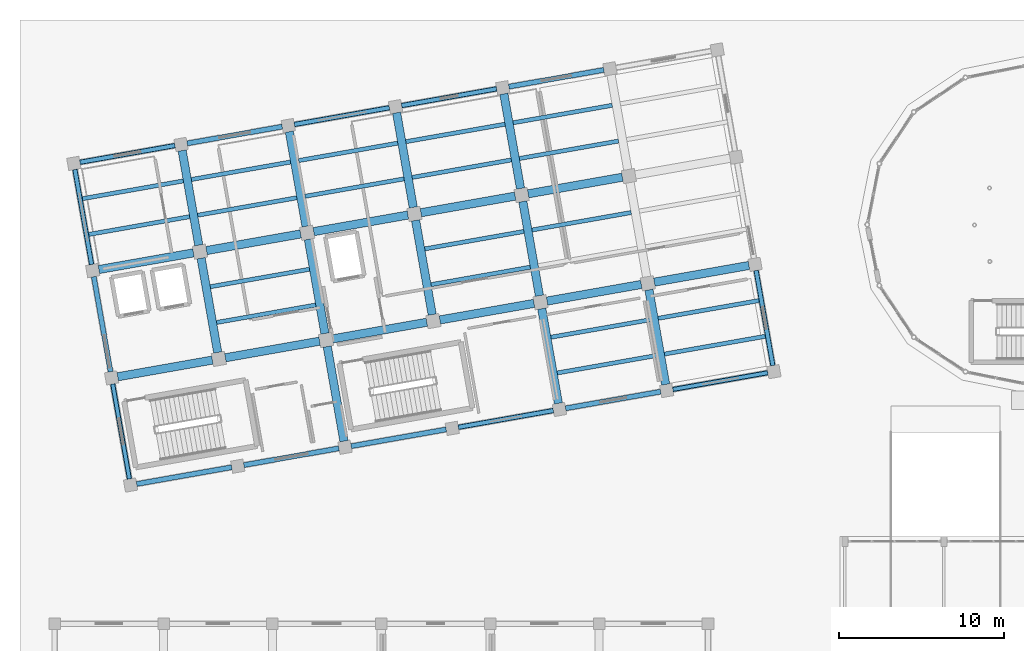
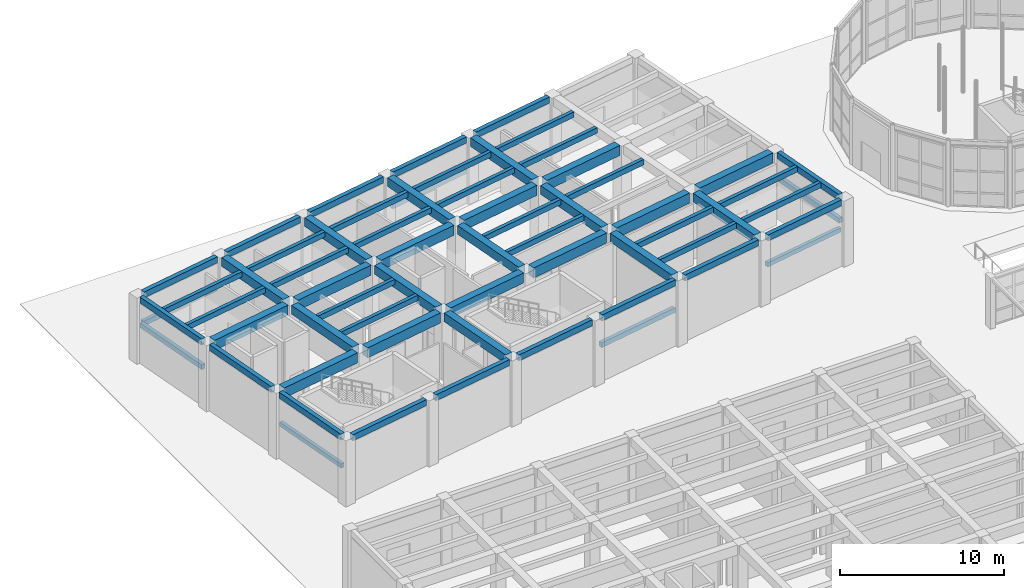
# One storey, part 13 of 57: 64 beams.
"""IFC4 building model written with IfcOpenShell, lengths in metres."""

from ifc_helpers import new_model, si_unit, direction, frame, origin, origin_2d, place, context, subcontext, project, spatial, rectangle, extrude, material, material_profile, profile_set, type_object, element, save


model = new_model("IFC4")

# Units and contexts
model_context = context("Model", 3, precision=1e-05, world=origin(), true_north=direction((0.0, 1.0)))
body_context = subcontext(model_context, "Body", "Model", "MODEL_VIEW")
ifc_project = project(units=[si_unit("LENGTHUNIT", "METRE"), si_unit("AREAUNIT", "SQUARE_METRE"), si_unit("VOLUMEUNIT", "CUBIC_METRE"), si_unit("PLANEANGLEUNIT", "RADIAN"), si_unit("MASSUNIT", "GRAM", prefix="KILO")], contexts=[model_context])

# Site, building, storey
site_placement = place(None, origin())
site = spatial("IfcSite", under=ifc_project, at=site_placement, CompositionType="ELEMENT")
building_placement = place(site_placement, origin())
building = spatial("IfcBuilding", under=site, at=building_placement, Name="Kharisveld Research Institute", CompositionType="ELEMENT")
storey_placement = place(building_placement, origin())
storey = spatial("IfcBuildingStorey", under=building, at=storey_placement, Name="L00", CompositionType="ELEMENT", Elevation=0.0)

# Beams
ifc_material_1 = material(Name="Concrete C40/50", Category="concrete")
ifc_material_profile_1 = material_profile(ifc_material_1, rectangle(XDim=0.5, YDim=0.64990234375, at=origin_2d()))
ifc_profile_set_1 = profile_set([ifc_material_profile_1], Name="Concrete C40/50")
beam_type_1 = type_object("IfcBeamType", Name="BM_RC_500x650", PredefinedType="BEAM", material=ifc_profile_set_1)
beam_1_placement = place(storey_placement, frame((10.484130859375, 43.0498046875, 4.594970703125), z_axis=(-0.17363405094, 0.984810243831, 0.0), x_axis=(-0.984810243831, -0.17363405094, 0.0)))
element("IfcBeam", 1, at=beam_1_placement, inside=storey, type_object=beam_type_1, Name="BM:V1:L00:V1_1", PredefinedType="BEAM", context=body_context, shape_type="SweptSolid", body=[
    extrude(rectangle(XDim=0.5, YDim=0.64990234375, at=origin_2d()), origin(), (0.0, 0.0, 1.0), 5.800048828125),
])
beam_2_placement = place(storey_placement, frame((9.338134765625, 49.549560546875, 4.594970703125), z_axis=(-0.173649041937, 0.984807600618, 0.0), x_axis=(-0.984807600618, -0.173649041937, 0.0)))
element("IfcBeam", 2, at=beam_2_placement, inside=storey, type_object=beam_type_1, Name="BM:V1:L00:V1_2", PredefinedType="BEAM", context=body_context, shape_type="SweptSolid", body=[
    extrude(rectangle(XDim=0.5, YDim=0.64990234375, at=origin_2d()), origin(), (0.0, 0.0, 1.0), 5.82470703125),
])
beam_3_placement = place(storey_placement, frame((18.13427734375, 37.67138671875, 4.594970703125), z_axis=(-0.173641874505, 0.984808864409, 0.0), x_axis=(-0.984808864409, -0.173641874505, 0.0)))
element("IfcBeam", 3, at=beam_3_placement, inside=storey, type_object=beam_type_1, Name="BM:V1:L00:V2_0", PredefinedType="BEAM", context=body_context, shape_type="SweptSolid", body=[
    extrude(rectangle(XDim=0.5, YDim=0.64990234375, at=origin_2d()), origin(), (0.0, 0.0, 1.0), 5.824951171875),
])
beam_4_placement = place(storey_placement, frame((16.98388671875, 44.19580078125, 4.594970703125), z_axis=(-0.17363405094, 0.984810243831, 0.0), x_axis=(-0.984810243831, -0.17363405094, 0.0)))
element("IfcBeam", 4, at=beam_4_placement, inside=storey, type_object=beam_type_1, Name="BM:V1:L00:V2_1", PredefinedType="BEAM", context=body_context, shape_type="SweptSolid", body=[
    extrude(rectangle(XDim=0.5, YDim=0.64990234375, at=origin_2d()), origin(), (0.0, 0.0, 1.0), 5.800048828125),
])
beam_5_placement = place(storey_placement, frame((15.837890625, 50.695556640625, 4.594970703125), z_axis=(-0.173641874505, 0.984808864409, 0.0), x_axis=(-0.984808864409, -0.173641874505, 0.0)))
element("IfcBeam", 5, at=beam_5_placement, inside=storey, type_object=beam_type_1, Name="BM:V1:L00:V2_2", PredefinedType="BEAM", context=body_context, shape_type="SweptSolid", body=[
    extrude(rectangle(XDim=0.5, YDim=0.64990234375, at=origin_2d()), origin(), (0.0, 0.0, 1.0), 5.824951171875),
])
beam_6_placement = place(storey_placement, frame((23.483642578125, 45.341796875, 4.594970703125), z_axis=(-0.17363405094, 0.984810243831, 0.0), x_axis=(-0.984810243831, -0.17363405094, 0.0)))
element("IfcBeam", 6, at=beam_6_placement, inside=storey, type_object=beam_type_1, Name="BM:V1:L00:V3_1", PredefinedType="BEAM", context=body_context, shape_type="SweptSolid", body=[
    extrude(rectangle(XDim=0.5, YDim=0.64990234375, at=origin_2d()), origin(), (0.0, 0.0, 1.0), 5.800048828125),
])
for number, where, z_axis, x_axis, name in (
    (7, (22.337646484375, 51.841552734375, 4.594970703125), (-0.173641874505, 0.984808864409, 0.0), (-0.984808864409, -0.173641874505, 0.0), "BM:V1:L00:V3_2"),
    (8, (31.1337890625, 39.963623046875, 4.594970703125), (-0.173641874505, 0.984808864409, 0.0), (-0.984808864409, -0.173641874505, 0.0), "BM:V1:L00:V4_0"),
):
    element("IfcBeam", number, at=place(storey_placement, frame(where, z_axis=z_axis, x_axis=x_axis)), inside=storey, type_object=beam_type_1, Name=name, PredefinedType="BEAM", context=body_context, shape_type="SweptSolid", body=[
        extrude(rectangle(XDim=0.5, YDim=0.64990234375, at=origin_2d()), origin(), (0.0, 0.0, 1.0), 5.824951171875),
    ])
beam_7_placement = place(storey_placement, frame((29.9833984375, 46.488037109375, 4.594970703125), z_axis=(-0.17363405094, 0.984810243831, 0.0), x_axis=(-0.984810243831, -0.17363405094, 0.0)))
element("IfcBeam", 9, at=beam_7_placement, inside=storey, type_object=beam_type_1, Name="BM:V1:L00:V4_1", PredefinedType="BEAM", context=body_context, shape_type="SweptSolid", body=[
    extrude(rectangle(XDim=0.5, YDim=0.64990234375, at=origin_2d()), origin(), (0.0, 0.0, 1.0), 5.800048828125),
])
beam_8_placement = place(storey_placement, frame((28.83740234375, 52.98779296875, 4.594970703125), z_axis=(-0.173649041937, 0.984807600618, 0.0), x_axis=(-0.984807600618, -0.173649041937, 0.0)))
element("IfcBeam", 10, at=beam_8_placement, inside=storey, type_object=beam_type_1, Name="BM:V1:L00:V4_2", PredefinedType="BEAM", context=body_context, shape_type="SweptSolid", body=[
    extrude(rectangle(XDim=0.5, YDim=0.64990234375, at=origin_2d()), origin(), (0.0, 0.0, 1.0), 5.82470703125),
])
beam_9_placement = place(storey_placement, frame((37.633544921875, 41.109619140625, 4.594970703125), z_axis=(-0.173641874505, 0.984808864409, 0.0), x_axis=(-0.984808864409, -0.173641874505, 0.0)))
element("IfcBeam", 11, at=beam_9_placement, inside=storey, type_object=beam_type_1, Name="BM:V1:L00:V5_0", PredefinedType="BEAM", context=body_context, shape_type="SweptSolid", body=[
    extrude(rectangle(XDim=0.5, YDim=0.64990234375, at=origin_2d()), origin(), (0.0, 0.0, 1.0), 5.824951171875),
])
ifc_material_2 = material(Name="Concrete C40/50", Category="concrete")
ifc_material_profile_2 = material_profile(ifc_material_2, rectangle(XDim=0.5, YDim=0.75, at=origin_2d()))
ifc_profile_set_2 = profile_set([ifc_material_profile_2], Name="Concrete C40/50")
beam_type_2 = type_object("IfcBeamType", Name="BM_RC_500x750", PredefinedType="BEAM", material=ifc_profile_set_2)
beam_10_placement = place(storey_placement, frame((4.42333984375, 41.574951171875, 4.544921875), z_axis=(0.984807600618, 0.173649041937, 0.0), x_axis=(-0.173649041937, 0.984807600618, 0.0)))
element("IfcBeam", 12, at=beam_10_placement, inside=storey, type_object=beam_type_2, Name="BM:V1:L00:U0_1", PredefinedType="BEAM", context=body_context, shape_type="SweptSolid", body=[
    extrude(rectangle(XDim=0.5, YDim=0.75, at=origin_2d()), origin(), (0.0, 0.0, 1.0), 5.82470703125),
])
for number, where, z_axis, x_axis, name in (
    (13, (10.947509765625, 42.725341796875, 4.544921875), (0.984810243831, 0.17363405094, 0.0), (-0.17363405094, 0.984810243831, 0.0), "BM:V1:L00:U1_1"),
    (14, (17.447265625, 43.871337890625, 4.544921875), (0.984810243831, 0.17363405094, 0.0), (-0.17363405094, 0.984810243831, 0.0), "BM:V1:L00:U2_1"),
    (15, (23.947021484375, 45.017333984375, 4.544921875), (0.98480304526, 0.17367487454, 0.0), (-0.17367487454, 0.98480304526, 0.0), "BM:V1:L00:U3_1"),
    (16, (30.44677734375, 46.16357421875, 4.544921875), (0.984810243831, 0.17363405094, 0.0), (-0.17363405094, 0.984810243831, 0.0), "BM:V1:L00:U4_1"),
):
    element("IfcBeam", number, at=place(storey_placement, frame(where, z_axis=z_axis, x_axis=x_axis)), inside=storey, type_object=beam_type_2, Name=name, PredefinedType="BEAM", context=body_context, shape_type="SweptSolid", body=[
        extrude(rectangle(XDim=0.5, YDim=0.75, at=origin_2d()), origin(), (0.0, 0.0, 1.0), 5.800048828125),
    ])
beam_11_placement = place(storey_placement, frame((36.946533203125, 47.3095703125, 4.544921875), z_axis=(0.984808864409, 0.173641874505, 0.0), x_axis=(-0.173641874505, 0.984808864409, 0.0)))
element("IfcBeam", 17, at=beam_11_placement, inside=storey, type_object=beam_type_2, Name="BM:V1:L00:U5_1", PredefinedType="BEAM", context=body_context, shape_type="SweptSolid", body=[
    extrude(rectangle(XDim=0.5, YDim=0.75, at=origin_2d()), origin(), (0.0, 0.0, 1.0), 5.824951171875),
])
beam_12_placement = place(storey_placement, frame((3.277099609375, 48.074462890625, 4.544921875), z_axis=(0.984801696481, 0.173682522459, 0.0), x_axis=(-0.173682522459, 0.984801696481, 0.0)))
element("IfcBeam", 18, at=beam_12_placement, inside=storey, type_object=beam_type_2, Name="BM:V1:L00:U0_2", PredefinedType="BEAM", context=body_context, shape_type="SweptSolid", body=[
    extrude(rectangle(XDim=0.5, YDim=0.75, at=origin_2d()), origin(), (0.0, 0.0, 1.0), 5.8251953125),
])
for number, where, z_axis, x_axis, name in (
    (19, (9.801513671875, 49.22509765625, 4.544921875), (0.984810243831, 0.17363405094, 0.0), (-0.17363405094, 0.984810243831, 0.0), "BM:V1:L00:U1_2"),
    (20, (16.30126953125, 50.37109375, 4.544921875), (0.984810243831, 0.17363405094, 0.0), (-0.17363405094, 0.984810243831, 0.0), "BM:V1:L00:U2_2"),
    (21, (22.801025390625, 51.51708984375, 4.544921875), (0.98480304526, 0.17367487454, 0.0), (-0.17367487454, 0.98480304526, 0.0), "BM:V1:L00:U3_2"),
    (22, (29.30078125, 52.663330078125, 4.544921875), (0.984810243831, 0.17363405094, 0.0), (-0.17363405094, 0.984810243831, 0.0), "BM:V1:L00:U4_2"),
):
    element("IfcBeam", number, at=place(storey_placement, frame(where, z_axis=z_axis, x_axis=x_axis)), inside=storey, type_object=beam_type_2, Name=name, PredefinedType="BEAM", context=body_context, shape_type="SweptSolid", body=[
        extrude(rectangle(XDim=0.5, YDim=0.75, at=origin_2d()), origin(), (0.0, 0.0, 1.0), 5.800048828125),
    ])
ifc_material_3 = material(Name="Concrete C35/45", Category="concrete")
ifc_material_profile_3 = material_profile(ifc_material_3, rectangle(XDim=0.239990234375, YDim=0.320068359375, at=origin_2d()))
ifc_profile_set_3 = profile_set([ifc_material_profile_3], Name="Concrete C35/45")
beam_type_3 = type_object("IfcBeamType", Name="LN_RC_240x320", PredefinedType="LINTEL", material=ifc_profile_set_3)
for number, where, z_axis, x_axis, name in (
    (23, (5.134033203125, 35.38427734375, 2.530029296875), (-0.173658934779, 0.984805856183, 0.0), (-0.984805856183, -0.173658934779, 0.0), "BM:V1:L00:LINTEL_W0"),
    (24, (43.82421875, 41.820556640625, 2.679931640625), (-0.984805856183, -0.173658934779, 0.0), (0.173658934779, -0.984805856183, 0.0), "BM:V1:L00:LINTEL_S6"),
):
    element("IfcBeam", number, at=place(storey_placement, frame(where, z_axis=z_axis, x_axis=x_axis)), inside=storey, type_object=beam_type_3, Name=name, PredefinedType="LINTEL", context=body_context, shape_type="SweptSolid", body=[
        extrude(rectangle(XDim=0.239990234375, YDim=0.320068359375, at=origin_2d()), origin(), (0.0, 0.0, 1.0), 5.83984375),
    ])
ifc_material_4 = material(Name="Concrete C35/45", Category="concrete")
ifc_material_profile_4 = material_profile(ifc_material_4, rectangle(XDim=0.260009765625, YDim=0.360107421875, at=origin_2d()))
ifc_profile_set_4 = profile_set([ifc_material_profile_4], Name="Concrete C35/45")
beam_type_4 = type_object("IfcBeamType", Name="LN_RC_260x360", PredefinedType="LINTEL", material=ifc_profile_set_4)
for number, where, z_axis, x_axis, name in (
    (25, (2.841796875, 48.3837890625, 2.800048828125), (-0.173658934779, 0.984805856183, 0.0), (-0.984805856183, -0.173658934779, 0.0), "BM:V1:L00:LINTEL_W2"),
    (26, (2.135986328125, 54.5751953125, 2.550048828125), (0.984805856183, 0.173658934779, 0.0), (-0.173658934779, 0.984805856183, 0.0), "BM:V1:L00:LINTEL_N0"),
    (27, (15.135498046875, 56.867431640625, 2.800048828125), (0.984813004945, 0.173618389843, 0.0), (-0.173618389843, 0.984813004945, 0.0), "BM:V1:L00:LINTEL_N2"),
    (28, (21.63525390625, 58.013427734375, 2.35009765625), (0.984805856183, 0.173658934779, 0.0), (-0.173658934779, 0.984805856183, 0.0), "BM:V1:L00:LINTEL_N3"),
    (29, (43.118408203125, 48.011962890625, 2.949951171875), (0.173618389843, -0.984813004945, 0.0), (0.984813004945, 0.173618389843, 0.0), "BM:V1:L00:LINTEL_E1"),
    (30, (30.82470703125, 39.5283203125, 2.64990234375), (-0.984805856183, -0.173658934779, 0.0), (0.173658934779, -0.984805856183, 0.0), "BM:V1:L00:LINTEL_S4"),
):
    element("IfcBeam", number, at=place(storey_placement, frame(where, z_axis=z_axis, x_axis=x_axis)), inside=storey, type_object=beam_type_4, Name=name, PredefinedType="LINTEL", context=body_context, shape_type="SweptSolid", body=[
        extrude(rectangle(XDim=0.260009765625, YDim=0.360107421875, at=origin_2d()), origin(), (0.0, 0.0, 1.0), 5.83984375),
    ])
ifc_material_5 = material(Name="Concrete C40/50", Category="concrete")
ifc_material_profile_5 = material_profile(ifc_material_5, rectangle(XDim=0.300048828125, YDim=0.449951171875, at=origin_2d()))
ifc_profile_set_5 = profile_set([ifc_material_profile_5], Name="Concrete C40/50")
beam_type_5 = type_object("IfcBeamType", Name="SP_RC_300x450", PredefinedType="SPANDREL", material=ifc_profile_set_5)
for number, where, z_axis, x_axis, name in (
    (31, (5.5693359375, 35.0751953125, 4.695068359375), (0.984806238245, 0.17365676812, 0.0), (-0.17365676812, 0.984806238245, 0.0), "BM:V1:L00:U0_0"),
    (32, (12.069091796875, 36.22119140625, 4.695068359375), (0.984806238245, 0.17365676812, 0.0), (-0.17365676812, 0.984806238245, 0.0), "BM:V1:L00:U1_0"),
    (33, (18.56884765625, 37.3671875, 4.695068359375), (0.984806238245, 0.17365676812, 0.0), (-0.17365676812, 0.984806238245, 0.0), "BM:V1:L00:U2_0"),
    (34, (25.068603515625, 38.513427734375, 4.695068359375), (0.984806238245, 0.17365676812, 0.0), (-0.17365676812, 0.984806238245, 0.0), "BM:V1:L00:U3_0"),
):
    element("IfcBeam", number, at=place(storey_placement, frame(where, z_axis=z_axis, x_axis=x_axis)), inside=storey, type_object=beam_type_5, Name=name, PredefinedType="SPANDREL", context=body_context, shape_type="SweptSolid", body=[
        extrude(rectangle(XDim=0.300048828125, YDim=0.449951171875, at=origin_2d()), origin(), (0.0, 0.0, 1.0), 5.849853515625),
    ])
for number, where, z_axis, x_axis, name in (
    (35, (31.568115234375, 39.659423828125, 4.695068359375), (0.984807496737, 0.173649631067, 0.0), (-0.173649631067, 0.984807496737, 0.0), "BM:V1:L00:U4_0"),
    (36, (38.06787109375, 40.805419921875, 4.695068359375), (0.984807496737, 0.173649631067, 0.0), (-0.173649631067, 0.984807496737, 0.0), "BM:V1:L00:U5_0"),
):
    element("IfcBeam", number, at=place(storey_placement, frame(where, z_axis=z_axis, x_axis=x_axis)), inside=storey, type_object=beam_type_5, Name=name, PredefinedType="SPANDREL", context=body_context, shape_type="SweptSolid", body=[
        extrude(rectangle(XDim=0.300048828125, YDim=0.449951171875, at=origin_2d()), origin(), (0.0, 0.0, 1.0), 5.85009765625),
    ])
for number, where, z_axis, x_axis, name in (
    (37, (2.131103515625, 54.57421875, 4.695068359375), (0.984806238245, 0.17365676812, 0.0), (-0.17365676812, 0.984806238245, 0.0), "BM:V1:L00:U0_3"),
    (38, (8.630859375, 55.720458984375, 4.695068359375), (0.984806238245, 0.17365676812, 0.0), (-0.17365676812, 0.984806238245, 0.0), "BM:V1:L00:U1_3"),
    (39, (15.130615234375, 56.866455078125, 4.695068359375), (0.984806238245, 0.17365676812, 0.0), (-0.17365676812, 0.984806238245, 0.0), "BM:V1:L00:U2_3"),
    (40, (21.63037109375, 58.012451171875, 4.695068359375), (0.984806238245, 0.17365676812, 0.0), (-0.17365676812, 0.984806238245, 0.0), "BM:V1:L00:U3_3"),
):
    element("IfcBeam", number, at=place(storey_placement, frame(where, z_axis=z_axis, x_axis=x_axis)), inside=storey, type_object=beam_type_5, Name=name, PredefinedType="SPANDREL", context=body_context, shape_type="SweptSolid", body=[
        extrude(rectangle(XDim=0.300048828125, YDim=0.449951171875, at=origin_2d()), origin(), (0.0, 0.0, 1.0), 5.849853515625),
    ])
beam_13_placement = place(storey_placement, frame((28.1298828125, 59.15869140625, 4.695068359375), z_axis=(0.984807496737, 0.173649631067, 0.0), x_axis=(-0.173649631067, 0.984807496737, 0.0)))
element("IfcBeam", 41, at=beam_13_placement, inside=storey, type_object=beam_type_5, Name="BM:V1:L00:U4_3", PredefinedType="SPANDREL", context=body_context, shape_type="SweptSolid", body=[
    extrude(rectangle(XDim=0.300048828125, YDim=0.449951171875, at=origin_2d()), origin(), (0.0, 0.0, 1.0), 5.85009765625),
])
for number, where, z_axis, x_axis, name in (
    (42, (5.134765625, 35.37939453125, 4.695068359375), (-0.173616291867, 0.984813374807, 0.0), (-0.984813374807, -0.173616291867, 0.0), "BM:V1:L00:V0_0"),
    (43, (3.98876953125, 41.879150390625, 4.695068359375), (-0.17365676812, 0.984806238245, 0.0), (-0.984806238245, -0.17365676812, 0.0), "BM:V1:L00:V0_1"),
):
    element("IfcBeam", number, at=place(storey_placement, frame(where, z_axis=z_axis, x_axis=x_axis)), inside=storey, type_object=beam_type_5, Name=name, PredefinedType="SPANDREL", context=body_context, shape_type="SweptSolid", body=[
        extrude(rectangle(XDim=0.300048828125, YDim=0.449951171875, at=origin_2d()), origin(), (0.0, 0.0, 1.0), 5.849853515625),
    ])
beam_14_placement = place(storey_placement, frame((2.8427734375, 48.378662109375, 4.695068359375), z_axis=(-0.173649631067, 0.984807496737, 0.0), x_axis=(-0.984807496737, -0.173649631067, 0.0)))
element("IfcBeam", 44, at=beam_14_placement, inside=storey, type_object=beam_type_5, Name="BM:V1:L00:V0_2", PredefinedType="SPANDREL", context=body_context, shape_type="SweptSolid", body=[
    extrude(rectangle(XDim=0.300048828125, YDim=0.449951171875, at=origin_2d()), origin(), (0.0, 0.0, 1.0), 5.85009765625),
])
beam_15_placement = place(storey_placement, frame((44.13330078125, 42.255859375, 4.695068359375), z_axis=(-0.17365676812, 0.984806238245, 0.0), x_axis=(-0.984806238245, -0.17365676812, 0.0)))
element("IfcBeam", 45, at=beam_15_placement, inside=storey, type_object=beam_type_5, Name="BM:V1:L00:V6_0", PredefinedType="SPANDREL", context=body_context, shape_type="SweptSolid", body=[
    extrude(rectangle(XDim=0.300048828125, YDim=0.449951171875, at=origin_2d()), origin(), (0.0, 0.0, 1.0), 5.849853515625),
])
ifc_material_6 = material(Name="Concrete C40/50", Category="concrete")
ifc_material_profile_6 = material_profile(ifc_material_6, rectangle(XDim=0.25, YDim=0.39990234375, at=origin_2d()))
ifc_profile_set_6 = profile_set([ifc_material_profile_6], Name="Concrete C40/50")
beam_type_6 = type_object("IfcBeamType", Name="WB_RC_250x400", PredefinedType="JOIST", material=ifc_profile_set_6)
for number, where, z_axis, x_axis, name in (
    (46, (2.673583984375, 50.2021484375, 4.719970703125), (0.984806146634, 0.173657287643, 0.0), (-0.173657287643, 0.984806146634, 0.0), "BM:V1:L00:J_0_2_R1"),
    (47, (2.29150390625, 52.36865234375, 4.719970703125), (0.984806146634, 0.173657287643, 0.0), (-0.173657287643, 0.984806146634, 0.0), "BM:V1:L00:J_0_2_R2"),
):
    element("IfcBeam", number, at=place(storey_placement, frame(where, z_axis=z_axis, x_axis=x_axis)), inside=storey, type_object=beam_type_6, Name=name, PredefinedType="JOIST", context=body_context, shape_type="SweptSolid", body=[
        extrude(rectangle(XDim=0.25, YDim=0.39990234375, at=origin_2d()), origin(), (0.0, 0.0, 1.0), 6.199951171875),
    ])
beam_16_placement = place(storey_placement, frame((10.417724609375, 44.86572265625, 4.719970703125), z_axis=(0.984805711192, 0.173659757005, 0.0), x_axis=(-0.173659757005, 0.984805711192, 0.0)))
element("IfcBeam", 48, at=beam_16_placement, inside=storey, type_object=beam_type_6, Name="BM:V1:L00:J_1_1_R1", PredefinedType="JOIST", context=body_context, shape_type="SweptSolid", body=[
    extrude(rectangle(XDim=0.25, YDim=0.39990234375, at=origin_2d()), origin(), (0.0, 0.0, 1.0), 6.10009765625),
])
beam_17_placement = place(storey_placement, frame((10.035888671875, 47.032470703125, 4.719970703125), z_axis=(0.984812555252, 0.173620940611, 0.0), x_axis=(-0.173620940611, 0.984812555252, 0.0)))
element("IfcBeam", 49, at=beam_17_placement, inside=storey, type_object=beam_type_6, Name="BM:V1:L00:J_1_1_R2", PredefinedType="JOIST", context=body_context, shape_type="SweptSolid", body=[
    extrude(rectangle(XDim=0.25, YDim=0.39990234375, at=origin_2d()), origin(), (0.0, 0.0, 1.0), 6.099853515625),
])
beam_18_placement = place(storey_placement, frame((9.271728515625, 51.365478515625, 4.719970703125), z_axis=(0.984805711192, 0.173659757005, 0.0), x_axis=(-0.173659757005, 0.984805711192, 0.0)))
element("IfcBeam", 50, at=beam_18_placement, inside=storey, type_object=beam_type_6, Name="BM:V1:L00:J_1_2_R1", PredefinedType="JOIST", context=body_context, shape_type="SweptSolid", body=[
    extrude(rectangle(XDim=0.25, YDim=0.39990234375, at=origin_2d()), origin(), (0.0, 0.0, 1.0), 6.10009765625),
])
for number, where, z_axis, x_axis, name in (
    (51, (8.8896484375, 53.5322265625, 4.719970703125), (0.984812555252, 0.173620940611, 0.0), (-0.173620940611, 0.984812555252, 0.0), "BM:V1:L00:J_1_2_R2"),
    (52, (15.771484375, 52.51171875, 4.719970703125), (0.984812555252, 0.173620940611, 0.0), (-0.173620940611, 0.984812555252, 0.0), "BM:V1:L00:J_2_2_R1"),
):
    element("IfcBeam", number, at=place(storey_placement, frame(where, z_axis=z_axis, x_axis=x_axis)), inside=storey, type_object=beam_type_6, Name=name, PredefinedType="JOIST", context=body_context, shape_type="SweptSolid", body=[
        extrude(rectangle(XDim=0.25, YDim=0.39990234375, at=origin_2d()), origin(), (0.0, 0.0, 1.0), 6.099853515625),
    ])
for number, where, z_axis, x_axis, name in (
    (53, (15.389404296875, 54.67822265625, 4.719970703125), (0.984805711192, 0.173659757005, 0.0), (-0.173659757005, 0.984805711192, 0.0), "BM:V1:L00:J_2_2_R2"),
    (54, (23.417236328125, 47.157958984375, 4.719970703125), (0.984805711192, 0.173659757005, 0.0), (-0.173659757005, 0.984805711192, 0.0), "BM:V1:L00:J_3_1_R1"),
    (55, (23.03515625, 49.324462890625, 4.719970703125), (0.984805711192, 0.173659757005, 0.0), (-0.173659757005, 0.984805711192, 0.0), "BM:V1:L00:J_3_1_R2"),
    (56, (22.271240234375, 53.65771484375, 4.719970703125), (0.984805711192, 0.173659757005, 0.0), (-0.173659757005, 0.984805711192, 0.0), "BM:V1:L00:J_3_2_R1"),
    (57, (21.88916015625, 55.82421875, 4.719970703125), (0.984805711192, 0.173659757005, 0.0), (-0.173659757005, 0.984805711192, 0.0), "BM:V1:L00:J_3_2_R2"),
    (58, (31.06298828125, 41.80419921875, 4.719970703125), (0.984805711192, 0.173659757005, 0.0), (-0.173659757005, 0.984805711192, 0.0), "BM:V1:L00:J_4_0_R1"),
):
    element("IfcBeam", number, at=place(storey_placement, frame(where, z_axis=z_axis, x_axis=x_axis)), inside=storey, type_object=beam_type_6, Name=name, PredefinedType="JOIST", context=body_context, shape_type="SweptSolid", body=[
        extrude(rectangle(XDim=0.25, YDim=0.39990234375, at=origin_2d()), origin(), (0.0, 0.0, 1.0), 6.10009765625),
    ])
for number, where, z_axis, x_axis, name in (
    (59, (30.68115234375, 43.970947265625, 4.719970703125), (0.984812555252, 0.173620940611, 0.0), (-0.173620940611, 0.984812555252, 0.0), "BM:V1:L00:J_4_0_R2"),
    (60, (29.534912109375, 50.470703125, 4.719970703125), (0.984812555252, 0.173620940611, 0.0), (-0.173620940611, 0.984812555252, 0.0), "BM:V1:L00:J_4_1_R2"),
):
    element("IfcBeam", number, at=place(storey_placement, frame(where, z_axis=z_axis, x_axis=x_axis)), inside=storey, type_object=beam_type_6, Name=name, PredefinedType="JOIST", context=body_context, shape_type="SweptSolid", body=[
        extrude(rectangle(XDim=0.25, YDim=0.39990234375, at=origin_2d()), origin(), (0.0, 0.0, 1.0), 6.099853515625),
    ])
beam_19_placement = place(storey_placement, frame((28.77099609375, 54.8037109375, 4.719970703125), z_axis=(0.984805711192, 0.173659757005, 0.0), x_axis=(-0.173659757005, 0.984805711192, 0.0)))
element("IfcBeam", 61, at=beam_19_placement, inside=storey, type_object=beam_type_6, Name="BM:V1:L00:J_4_2_R1", PredefinedType="JOIST", context=body_context, shape_type="SweptSolid", body=[
    extrude(rectangle(XDim=0.25, YDim=0.39990234375, at=origin_2d()), origin(), (0.0, 0.0, 1.0), 6.10009765625),
])
beam_20_placement = place(storey_placement, frame((28.388916015625, 56.970458984375, 4.719970703125), z_axis=(0.984812555252, 0.173620940611, 0.0), x_axis=(-0.173620940611, 0.984812555252, 0.0)))
element("IfcBeam", 62, at=beam_20_placement, inside=storey, type_object=beam_type_6, Name="BM:V1:L00:J_4_2_R2", PredefinedType="JOIST", context=body_context, shape_type="SweptSolid", body=[
    extrude(rectangle(XDim=0.25, YDim=0.39990234375, at=origin_2d()), origin(), (0.0, 0.0, 1.0), 6.099853515625),
])
beam_21_placement = place(storey_placement, frame((37.562744140625, 42.950439453125, 4.719970703125), z_axis=(0.984807334084, 0.173650553511, 0.0), x_axis=(-0.173650553511, 0.984807334084, 0.0)))
element("IfcBeam", 63, at=beam_21_placement, inside=storey, type_object=beam_type_6, Name="BM:V1:L00:J_5_0_R1", PredefinedType="JOIST", context=body_context, shape_type="SweptSolid", body=[
    extrude(rectangle(XDim=0.25, YDim=0.39990234375, at=origin_2d()), origin(), (0.0, 0.0, 1.0), 6.2001953125),
])
beam_22_placement = place(storey_placement, frame((37.180908203125, 45.116943359375, 4.719970703125), z_axis=(0.984806146634, 0.173657287643, 0.0), x_axis=(-0.173657287643, 0.984806146634, 0.0)))
element("IfcBeam", 64, at=beam_22_placement, inside=storey, type_object=beam_type_6, Name="BM:V1:L00:J_5_0_R2", PredefinedType="JOIST", context=body_context, shape_type="SweptSolid", body=[
    extrude(rectangle(XDim=0.25, YDim=0.39990234375, at=origin_2d()), origin(), (0.0, 0.0, 1.0), 6.199951171875),
])

save(model, "model.ifc")
